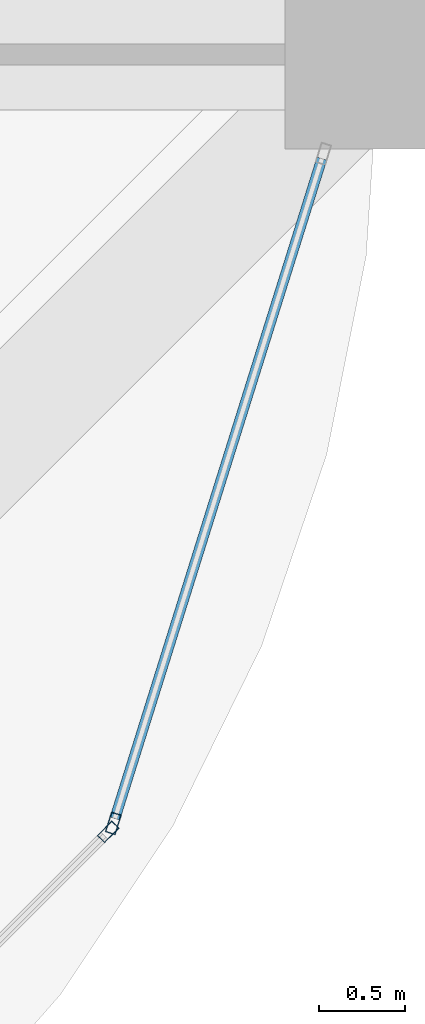
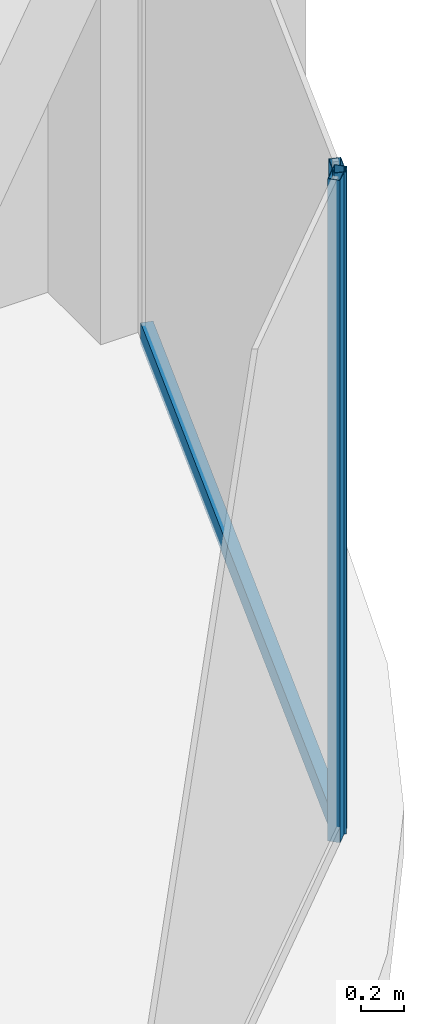
# One storey, part 20 of 44: 3 members, 2 elements without a shape of their own.
"""IFC4 building model written with IfcOpenShell, lengths in metres."""

from ifc_helpers import new_model, si_unit, direction, frame, origin, origin_2d, place, context, subcontext, project, spatial, hollow_rectangle, extrude, material, material_profile, profile_set, type_object, element, aggregate, save


model = new_model("IFC4")

# Units and contexts
model_context = context("Model", 3, precision=1e-05, world=origin(), true_north=direction((0.0, 1.0)))
body_context = subcontext(model_context, "Body", "Model", "MODEL_VIEW")
ifc_project = project(units=[si_unit("LENGTHUNIT", "METRE"), si_unit("AREAUNIT", "SQUARE_METRE"), si_unit("VOLUMEUNIT", "CUBIC_METRE"), si_unit("PLANEANGLEUNIT", "RADIAN"), si_unit("MASSUNIT", "GRAM", prefix="KILO")], contexts=[model_context])

# Site, building, storey
site_placement = place(None, origin())
site = spatial("IfcSite", under=ifc_project, at=site_placement, CompositionType="ELEMENT")
building_placement = place(site_placement, origin())
building = spatial("IfcBuilding", under=site, at=building_placement, Name="Zorevar Civic Tower", CompositionType="ELEMENT")
storey_placement = place(building_placement, frame((0.0, 0.0, 275.39990234375)))
storey = spatial("IfcBuildingStorey", under=building, at=storey_placement, Name="L67", CompositionType="ELEMENT", Elevation=275.39990234375)

# Curtain wall, member
ifc_material_1 = material(Name="Dark grey solar-control glass in black aluminium frame", Category="aluminium")
curtain_wall_type = type_object("IfcCurtainWallType", Name="Curtain wall CW5 top zone", PredefinedType="NOTDEFINED", material=ifc_material_1)
curtain_wall_1_placement = place(storey_placement, origin())
curtain_wall_1 = element("IfcCurtainWall", 1, at=curtain_wall_1_placement, inside=storey, type_object=curtain_wall_type, Name="CW5 L67", PredefinedType="NOTDEFINED")
ifc_material_2 = material(Name="Aluminium, black anodised", Category="aluminium")
ifc_material_profile_1 = material_profile(ifc_material_2, hollow_rectangle(XDim=0.06005859375, YDim=0.1201171875, WallThickness=0.0029296875, at=origin_2d()), Name="AL 120x60x3")
ifc_profile_set_1 = profile_set([ifc_material_profile_1], Name="Aluminium, black anodised")
member_type_1 = type_object("IfcMemberType", Name="CW5 mullion AL 120x60x3", PredefinedType="MULLION", material=ifc_profile_set_1)
member_1_placement = place(storey_placement, frame((52.419677734375, 4.470947265625, 0.0), z_axis=(0.0, 0.0, 1.0), x_axis=(-0.707106781187, 0.707106781187, 0.0)))
member_1 = element("IfcMember", 2, at=member_1_placement, type_object=member_type_1, Name="CW5 mullion 2", PredefinedType="MULLION", context=body_context, shape_type="SweptSolid", body=[
    extrude(hollow_rectangle(XDim=0.06005859375, YDim=0.1201171875, WallThickness=0.0029296875, at=origin_2d()), origin(), (0.0, 0.0, 1.0), 3.75),
])
aggregate(curtain_wall_1, [member_1])

# Curtain wall, members
curtain_wall_2_placement = place(storey_placement, origin())
curtain_wall_2 = element("IfcCurtainWall", 3, at=curtain_wall_2_placement, inside=storey, type_object=curtain_wall_type, Name="CW5 L67", PredefinedType="NOTDEFINED")
member_2_placement = place(storey_placement, frame((52.449951171875, 4.520751953125, 0.0), z_axis=(0.0, 0.0, 1.0), x_axis=(-0.954153437674, 0.299317920238, 0.0)))
member_2 = element("IfcMember", 4, at=member_2_placement, type_object=member_type_1, Name="CW5 mullion 1", PredefinedType="MULLION", context=body_context, shape_type="SweptSolid", body=[
    extrude(hollow_rectangle(XDim=0.06005859375, YDim=0.1201171875, WallThickness=0.0029296875, at=origin_2d()), origin(), (0.0, 0.0, 1.0), 3.75),
])
ifc_material_3 = material(Name="Aluminium, black anodised", Category="aluminium")
ifc_material_profile_2 = material_profile(ifc_material_3, hollow_rectangle(XDim=0.06005859375, YDim=0.1201171875, WallThickness=0.0029296875, at=origin_2d()), Name="AL 120x60x3")
ifc_profile_set_2 = profile_set([ifc_material_profile_2], Name="Aluminium, black anodised")
member_type_2 = type_object("IfcMemberType", Name="CW5 transom AL 120x60x3", PredefinedType="USERDEFINED", material=ifc_profile_set_2)
member_3_placement = place(storey_placement, frame((52.458984375, 4.54931640625, 0.030029296875), z_axis=(0.299285978047, 0.954163457351, 0.0), x_axis=(-0.954163457351, 0.299285978047, 0.0)))
member_3 = element("IfcMember", 5, at=member_3_placement, type_object=member_type_2, Name="CW5 sill transom", ObjectType="TRANSOM", PredefinedType="USERDEFINED", context=body_context, shape_type="SweptSolid", body=[
    extrude(hollow_rectangle(XDim=0.06005859375, YDim=0.1201171875, WallThickness=0.0029296875, at=origin_2d()), origin(), (0.0, 0.0, 1.0), 4.028076171875),
])
aggregate(curtain_wall_2, [member_2, member_3])

save(model, "model.ifc")
